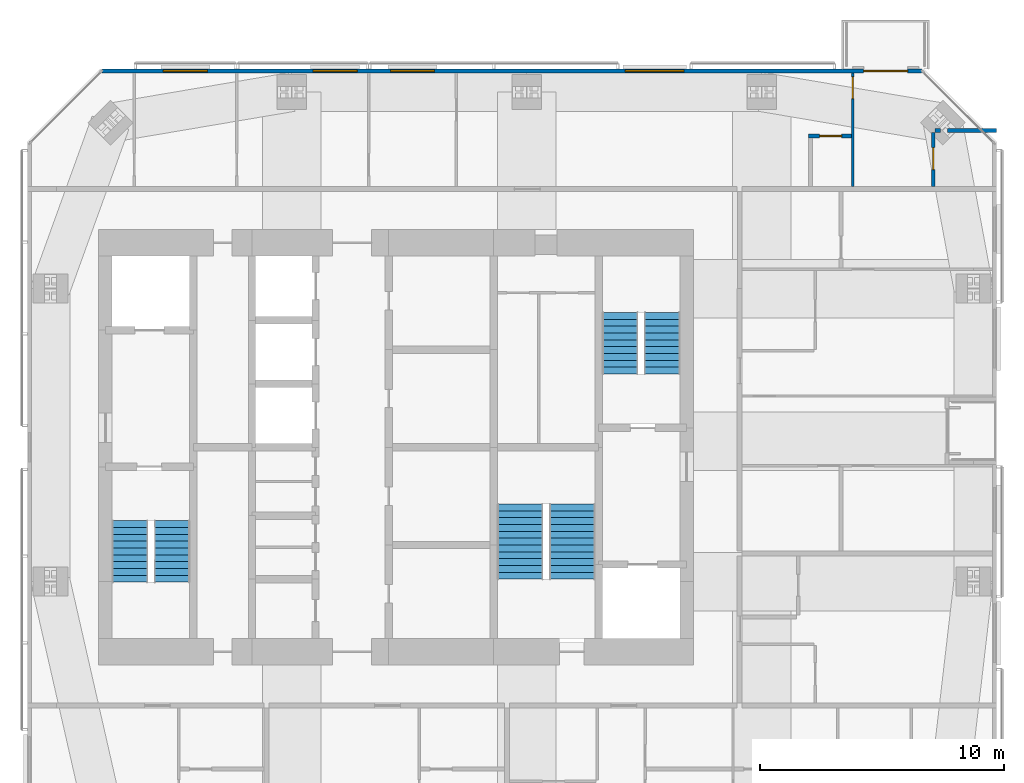
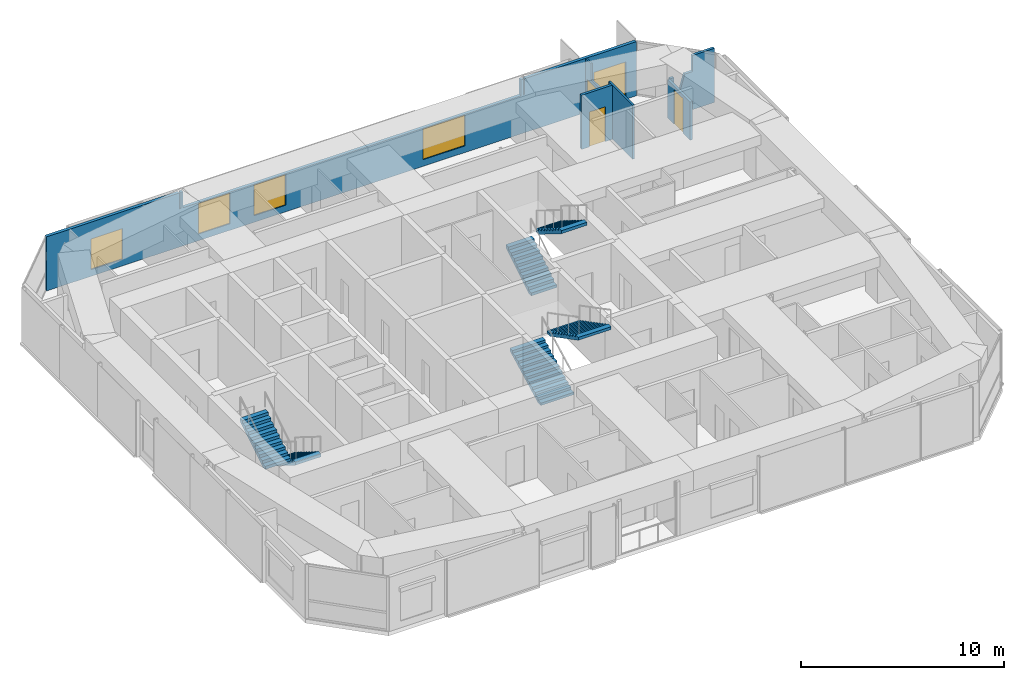
# One storey, part 19 of 20: 6 stair flights, 6 walls, 4 doors, 4 windows, 8 openings, 3 elements without a shape of their own.
"""IFC4 building model written with IfcOpenShell, lengths in metres."""

from ifc_helpers import new_model, si_unit, direction, frame, frame_2d, origin, place, context, subcontext, project, spatial, polyline, rectangle, outline, extrude, material, constituent, constituent_set, type_object, element, fill, aggregate, save


model = new_model("IFC4")

# Units and contexts
model_context = context("Model", 3, precision=1e-05, world=origin(), true_north=direction((0.0, 1.0)))
body_context = subcontext(model_context, "Body", "Model", "MODEL_VIEW")
ifc_project = project(units=[si_unit("LENGTHUNIT", "METRE"), si_unit("AREAUNIT", "SQUARE_METRE"), si_unit("VOLUMEUNIT", "CUBIC_METRE"), si_unit("PLANEANGLEUNIT", "RADIAN"), si_unit("MASSUNIT", "GRAM", prefix="KILO")], contexts=[model_context])

# Site, building, storey
site_placement = place(None, origin())
site = spatial("IfcSite", under=ifc_project, at=site_placement, CompositionType="ELEMENT")
building_placement = place(site_placement, origin())
building = spatial("IfcBuilding", under=site, at=building_placement, Name="Jalousie Tower", CompositionType="ELEMENT")
storey_placement = place(building_placement, frame((0.0, 0.0, 238.949951171875)))
storey = spatial("IfcBuildingStorey", under=building, at=storey_placement, Name="L65", CompositionType="ELEMENT", Elevation=238.949951171875)

# Walls
ifc_material_1 = material(Name="Concrete block ASTM C90", Category="concrete")
ifc_constituent_1 = constituent(ifc_material_1, Name="Body")
ifc_material_2 = material(Name="Render")
ifc_constituent_2 = constituent(ifc_material_2, Name="Finish")
ifc_constituent_set_1 = constituent_set(constituents=[ifc_constituent_1, ifc_constituent_2])
wall_type_1 = type_object("IfcWallType", Name="BATHROOM WALL 150", PredefinedType="PLUMBINGWALL", material=ifc_constituent_set_1)
wall_1_placement = place(storey_placement, frame((53.97509765625, 31.47509765625, 0.0), z_axis=(0.0, 0.0, 1.0), x_axis=(1.0, 0.0, 0.0)))
element("IfcWall", 1, at=wall_1_placement, inside=storey, type_object=wall_type_1, Name="Bathroom Wall 150 L65-A", PredefinedType="PLUMBINGWALL", context=body_context, shape_type="SweptSolid", body=[
    extrude(rectangle(XDim=0.216796875, YDim=0.14990234375, at=frame_2d((0.1083984375, 0.0))), origin(), (0.0, 0.0, 1.0), 2.300048828125),
])
wall_2_placement = place(storey_placement, frame((54.47802734375, 31.47509765625, 0.0), z_axis=(0.0, 0.0, 1.0), x_axis=(1.0, 0.0, 0.0)))
element("IfcWall", 2, at=wall_2_placement, inside=storey, type_object=wall_type_1, Name="Bathroom Wall 150 L65-B", PredefinedType="PLUMBINGWALL", context=body_context, shape_type="SweptSolid", body=[
    extrude(outline(polyline([(0.773681640625, 3.260009765625), (0.773681640625, 2.300048828125), (0.3251953125, 2.300048828125), (0.0, 1.150146484375), (0.3251953125, 0.0), (2.02197265625, 0.0), (2.02197265625, 3.260009765625), (0.773681640625, 3.260009765625)])), frame((0.0, 0.074951171875, 0.0), z_axis=(0.0, -1.0, 0.0), x_axis=(1.0, 0.0, 0.0)), (0.0, 0.0, 1.0), 0.14990234375),
])

# Wall, opening, door
wall_3_placement = place(storey_placement, frame((53.89990234375, 31.39990234375, 0.0), z_axis=(0.0, 0.0, 1.0), x_axis=(0.0, -1.0, 0.0)))
wall_3 = element("IfcWall", 3, at=wall_3_placement, inside=storey, type_object=wall_type_1, Name="Bathroom Wall 150 L65", PredefinedType="PLUMBINGWALL", context=body_context, shape_type="SweptSolid", body=[
    extrude(outline(polyline([(0.0, 0.0), (2.224853515625, 0.0), (2.22509765625, 3.260009765625), (2.22509765625, 2.300048828125), (0.43798828125, 2.300048828125), (0.0, 2.300048828125), (0.0, 3.260009765625), (0.0, 0.0)])), frame((0.0, 0.074951171875, 0.0), z_axis=(0.0, -1.0, 0.0), x_axis=(1.0, 0.0, 0.0)), (0.0, 0.0, 1.0), 0.14990234375),
])
opening_1_placement = place(wall_3_placement, frame((0.625, 0.0, 0.0)))
opening_1 = element("IfcOpeningElement", 4, at=opening_1_placement, cuts=wall_3, Name="Opening D3", PredefinedType="OPENING", context=body_context, shape_type="SweptSolid", body=[
    extrude(rectangle(XDim=0.89990234375, YDim=2.10009765625, at=frame_2d((0.449951171875, 1.050048828125))), frame((0.0, 0.0849609375, 0.0), z_axis=(0.0, -1.0, 0.0), x_axis=(1.0, 0.0, 0.0)), (0.0, 0.0, 1.0), 0.169921875),
])
ifc_material_3 = material(Name="Timber door", Category="wood")
door_type_1 = type_object("IfcDoorType", Name="BATHROOM DOOR 900", OperationType="SINGLE_SWING_LEFT", PredefinedType="DOOR", material=ifc_material_3)
door_1_placement = place(opening_1_placement, origin())
door_1 = element("IfcDoor", 5, at=door_1_placement, inside=storey, type_object=door_type_1, Name="Apartment 6504 bathroom door", OperationType="SINGLE_SWING_LEFT", OverallHeight=2.10009765625, OverallWidth=0.89990234375, PredefinedType="DOOR", context=body_context, shape_type="SweptSolid", body=[
    extrude(rectangle(XDim=0.89990234375, YDim=2.10009765625, at=frame_2d((0.449951171875, 1.050048828125))), frame((0.0, 0.02490234375, 0.0), z_axis=(0.0, -1.0, 0.0), x_axis=(1.0, 0.0, 0.0)), (0.0, 0.0, 1.0), 0.050048828125),
])
fill(opening_1, door_1)

wall_4_placement = place(storey_placement, frame((50.552490234375, 31.25, 0.0), z_axis=(0.0, 0.0, 1.0), x_axis=(-1.0, 0.0, 0.0)))
wall_4 = element("IfcWall", 6, at=wall_4_placement, inside=storey, type_object=wall_type_1, Name="Bathroom Wall 150 L65", PredefinedType="PLUMBINGWALL", context=body_context, shape_type="SweptSolid", body=[
    extrude(rectangle(XDim=1.75, YDim=0.14990234375, at=frame_2d((0.875, 0.0))), origin(), (0.0, 0.0, 1.0), 3.260009765625),
])
opening_2_placement = place(wall_4_placement, frame((0.39990234375, 0.0, 0.0)))
opening_2 = element("IfcOpeningElement", 7, at=opening_2_placement, cuts=wall_4, Name="Opening D7", PredefinedType="OPENING", context=body_context, shape_type="SweptSolid", body=[
    extrude(rectangle(XDim=0.89990234375, YDim=2.10009765625, at=frame_2d((0.449951171875, 1.050048828125))), frame((0.0, 0.0849609375, 0.0), z_axis=(0.0, -1.0, 0.0), x_axis=(1.0, 0.0, 0.0)), (0.0, 0.0, 1.0), 0.169921875),
])
ifc_material_4 = material(Name="Timber door", Category="wood")
door_type_2 = type_object("IfcDoorType", Name="INTERNAL DOOR 900", OperationType="SINGLE_SWING_LEFT", PredefinedType="DOOR", material=ifc_material_4)
door_2_placement = place(opening_2_placement, origin())
door_2 = element("IfcDoor", 8, at=door_2_placement, inside=storey, type_object=door_type_2, Name="Apartment 6504 guest WC door", OperationType="SINGLE_SWING_RIGHT", OverallHeight=2.10009765625, OverallWidth=0.89990234375, PredefinedType="DOOR", context=body_context, shape_type="SweptSolid", body=[
    extrude(rectangle(XDim=0.89990234375, YDim=2.10009765625, at=frame_2d((0.449951171875, 1.050048828125))), frame((0.0, 0.02490234375, 0.0), z_axis=(0.0, -1.0, 0.0), x_axis=(1.0, 0.0, 0.0)), (0.0, 0.0, 1.0), 0.050048828125),
])
fill(opening_2, door_2)

# Wall, openings, door, windows
ifc_material_5 = material(Name="Concrete f'c 40 MPa", Category="concrete")
ifc_constituent_3 = constituent(ifc_material_5, Name="Body")
ifc_material_6 = material(Name="Render, pastel sky blue")
ifc_constituent_4 = constituent(ifc_material_6, Name="Finish")
ifc_constituent_set_2 = constituent_set(constituents=[ifc_constituent_3, ifc_constituent_4])
wall_type_2 = type_object("IfcWallType", Name="EXTERNAL WALL 175 SKY BLUE RENDER", PredefinedType="SOLIDWALL", material=ifc_constituent_set_2)
wall_5_placement = place(storey_placement, frame((53.44873046875, 33.91259765625, 0.0), z_axis=(0.0, 0.0, 1.0), x_axis=(-1.0, 0.0, 0.0)))
wall_5 = element("IfcWall", 9, at=wall_5_placement, inside=storey, type_object=wall_type_2, Name="External Wall 175 Sky Blue Render L65", PredefinedType="SOLIDWALL", context=body_context, shape_type="SweptSolid", body=[
    extrude(outline(polyline([(0.0, 0.0), (33.597412109375, 0.0), (33.597412109375, 3.260009765625), (26.03857421875, 3.260009765625), (26.03857421875, 2.300048828125), (25.955078125, 2.300048828125), (25.955078125, 3.260009765625), (25.82373046875, 3.260009765625), (25.82373046875, 2.300048828125), (6.57373046875, 2.300048828125), (6.57373046875, 3.260009765625), (6.4423828125, 3.260009765625), (6.4423828125, 2.300048828125), (6.35888671875, 2.300048828125), (6.35888671875, 3.260009765625), (0.0, 3.260009765625), (0.0, 0.0)])), frame((0.0, 0.08740234375, 0.0), z_axis=(0.0, -1.0, 0.0), x_axis=(1.0, 0.0, 0.0)), (0.0, 0.0, 1.0), 0.175048828125),
])
opening_3_placement = place(wall_5_placement, frame((0.60009765625, 0.0, 0.0)))
opening_3 = element("IfcOpeningElement", 10, at=opening_3_placement, cuts=wall_5, Name="Opening D-BAL22", PredefinedType="OPENING", context=body_context, shape_type="SweptSolid", body=[
    extrude(rectangle(XDim=1.800048828125, YDim=2.25, at=frame_2d((0.89990234375, 1.125))), frame((0.0, 0.097412109375, 0.0), z_axis=(0.0, -1.0, 0.0), x_axis=(1.0, 0.0, 0.0)), (0.0, 0.0, 1.0), 0.195068359375),
])
opening_4_placement = place(wall_5_placement, frame((9.760009765625, 0.0, 0.39990234375)))
opening_4 = element("IfcOpeningElement", 11, at=opening_4_placement, cuts=wall_5, Name="Opening W-LIV185", PredefinedType="OPENING", context=body_context, shape_type="SweptSolid", body=[
    extrude(rectangle(XDim=2.39990234375, YDim=1.85009765625, at=frame_2d((1.199951171875, 0.925048828125))), frame((0.0, 0.097412109375, 0.0), z_axis=(0.0, -1.0, 0.0), x_axis=(1.0, 0.0, 0.0)), (0.0, 0.0, 1.0), 0.195068359375),
])
opening_5_placement = place(wall_5_placement, frame((19.9736328125, 0.0, 0.39990234375)))
opening_5 = element("IfcOpeningElement", 12, at=opening_5_placement, cuts=wall_5, Name="Opening W-BED185", PredefinedType="OPENING", context=body_context, shape_type="SweptSolid", body=[
    extrude(rectangle(XDim=1.800048828125, YDim=1.85009765625, at=frame_2d((0.89990234375, 0.925048828125))), frame((0.0, 0.097412109375, 0.0), z_axis=(0.0, -1.0, 0.0), x_axis=(1.0, 0.0, 0.0)), (0.0, 0.0, 1.0), 0.195068359375),
])
opening_6_placement = place(wall_5_placement, frame((23.143798828125, 0.0, 0.39990234375)))
opening_6 = element("IfcOpeningElement", 13, at=opening_6_placement, cuts=wall_5, Name="Opening W-BED185", PredefinedType="OPENING", context=body_context, shape_type="SweptSolid", body=[
    extrude(rectangle(XDim=1.800048828125, YDim=1.85009765625, at=frame_2d((0.89990234375, 0.925048828125))), frame((0.0, 0.097412109375, 0.0), z_axis=(0.0, -1.0, 0.0), x_axis=(1.0, 0.0, 0.0)), (0.0, 0.0, 1.0), 0.195068359375),
])
opening_7_placement = place(wall_5_placement, frame((29.273193359375, 0.0, 0.39990234375)))
opening_7 = element("IfcOpeningElement", 14, at=opening_7_placement, cuts=wall_5, Name="Opening W-BED185", PredefinedType="OPENING", context=body_context, shape_type="SweptSolid", body=[
    extrude(rectangle(XDim=1.800048828125, YDim=1.85009765625, at=frame_2d((0.89990234375, 0.925048828125))), frame((0.0, 0.097412109375, 0.0), z_axis=(0.0, -1.0, 0.0), x_axis=(1.0, 0.0, 0.0)), (0.0, 0.0, 1.0), 0.195068359375),
])
ifc_material_7 = material(Name="Aluminium frame, impact-rated glazing", Category="aluminium")
door_type_3 = type_object("IfcDoorType", Name="BALCONY DOOR 1800x2250", OperationType="SLIDING_TO_LEFT", PredefinedType="DOOR", material=ifc_material_7)
door_3_placement = place(opening_3_placement, origin())
door_3 = element("IfcDoor", 15, at=door_3_placement, inside=storey, type_object=door_type_3, Name="Apartment 6504 bedroom 5 balcony door", OperationType="SLIDING_TO_LEFT", OverallHeight=2.25, OverallWidth=1.800048828125, PredefinedType="DOOR", context=body_context, shape_type="SweptSolid", body=[
    extrude(rectangle(XDim=1.800048828125, YDim=2.25, at=frame_2d((0.89990234375, 1.125))), frame((0.0, 0.02490234375, 0.0), z_axis=(0.0, -1.0, 0.0), x_axis=(1.0, 0.0, 0.0)), (0.0, 0.0, 1.0), 0.050048828125),
])
fill(opening_3, door_3)
ifc_material_8 = material(Name="Aluminium frame, impact-rated glazing", Category="aluminium")
window_type_1 = type_object("IfcWindowType", Name="WINDOW BED 1800x1850", PartitioningType="SINGLE_PANEL", PredefinedType="WINDOW", material=ifc_material_8)
window_1_placement = place(opening_5_placement, origin())
window_1 = element("IfcWindow", 16, at=window_1_placement, inside=storey, type_object=window_type_1, Name="Apartment 6504 bedroom 4 window", OverallHeight=1.85009765625, OverallWidth=1.800048828125, PartitioningType="SINGLE_PANEL", PredefinedType="WINDOW", context=body_context, shape_type="SweptSolid", body=[
    extrude(rectangle(XDim=1.800048828125, YDim=1.85009765625, at=frame_2d((0.89990234375, 0.925048828125))), frame((0.0, 0.030029296875, 0.0), z_axis=(0.0, -1.0, 0.0), x_axis=(1.0, 0.0, 0.0)), (0.0, 0.0, 1.0), 0.06005859375),
])
fill(opening_5, window_1)
window_2_placement = place(opening_6_placement, origin())
window_2 = element("IfcWindow", 17, at=window_2_placement, inside=storey, type_object=window_type_1, Name="Apartment 6504 bedroom 3 window", OverallHeight=1.85009765625, OverallWidth=1.800048828125, PartitioningType="SINGLE_PANEL", PredefinedType="WINDOW", context=body_context, shape_type="SweptSolid", body=[
    extrude(rectangle(XDim=1.800048828125, YDim=1.85009765625, at=frame_2d((0.89990234375, 0.925048828125))), frame((0.0, 0.030029296875, 0.0), z_axis=(0.0, -1.0, 0.0), x_axis=(1.0, 0.0, 0.0)), (0.0, 0.0, 1.0), 0.06005859375),
])
fill(opening_6, window_2)
window_3_placement = place(opening_7_placement, origin())
window_3 = element("IfcWindow", 18, at=window_3_placement, inside=storey, type_object=window_type_1, Name="Apartment 6504 bedroom 2 window", OverallHeight=1.85009765625, OverallWidth=1.800048828125, PartitioningType="SINGLE_PANEL", PredefinedType="WINDOW", context=body_context, shape_type="SweptSolid", body=[
    extrude(rectangle(XDim=1.800048828125, YDim=1.85009765625, at=frame_2d((0.89990234375, 0.925048828125))), frame((0.0, 0.030029296875, 0.0), z_axis=(0.0, -1.0, 0.0), x_axis=(1.0, 0.0, 0.0)), (0.0, 0.0, 1.0), 0.06005859375),
])
fill(opening_7, window_3)
ifc_material_9 = material(Name="Aluminium frame, impact-rated glazing", Category="aluminium")
window_type_2 = type_object("IfcWindowType", Name="WINDOW LIV 2400x1850", PartitioningType="DOUBLE_PANEL_VERTICAL", PredefinedType="WINDOW", material=ifc_material_9)
window_4_placement = place(opening_4_placement, origin())
window_4 = element("IfcWindow", 19, at=window_4_placement, inside=storey, type_object=window_type_2, Name="Apartment 6504 living, dining and kitchen window", OverallHeight=1.85009765625, OverallWidth=2.39990234375, PartitioningType="SINGLE_PANEL", PredefinedType="WINDOW", context=body_context, shape_type="SweptSolid", body=[
    extrude(rectangle(XDim=2.39990234375, YDim=1.85009765625, at=frame_2d((1.199951171875, 0.925048828125))), frame((0.0, 0.030029296875, 0.0), z_axis=(0.0, -1.0, 0.0), x_axis=(1.0, 0.0, 0.0)), (0.0, 0.0, 1.0), 0.06005859375),
])
fill(opening_4, window_4)

# Wall, opening, door
ifc_material_10 = material(Name="Gypsum board", Category="gypsum")
ifc_constituent_5 = constituent(ifc_material_10, Name="Body")
ifc_material_11 = material(Name="Light-gauge steel studs ASTM A653 SS Grade 33", Category="steel")
ifc_constituent_6 = constituent(ifc_material_11, Name="Framing")
ifc_constituent_set_3 = constituent_set(constituents=[ifc_constituent_5, ifc_constituent_6])
wall_type_3 = type_object("IfcWallType", Name="PARTITION 100", PredefinedType="PARTITIONING", material=ifc_constituent_set_3)
wall_6_placement = place(storey_placement, frame((50.6025390625, 33.824951171875, 0.0), z_axis=(0.0, 0.0, 1.0), x_axis=(0.0, -1.0, 0.0)))
wall_6 = element("IfcWall", 20, at=wall_6_placement, inside=storey, type_object=wall_type_3, Name="Partition 100 L65", PredefinedType="PARTITIONING", context=body_context, shape_type="SweptSolid", body=[
    extrude(outline(polyline([(0.0, 0.0), (4.64990234375, 0.0), (4.64990234375, 3.260009765625), (2.279052734375, 3.260009765625), (2.279052734375, 2.300048828125), (0.534423828125, 2.300048828125), (0.534423828125, 3.260009765625), (0.0, 3.260009765625), (0.0, 0.0)])), frame((0.0, 0.050048828125, 0.0), z_axis=(0.0, -1.0, 0.0), x_axis=(1.0, 0.0, 0.0)), (0.0, 0.0, 1.0), 0.10009765625),
])
opening_8_placement = place(wall_6_placement, frame((0.14990234375, 0.0, 0.0)))
opening_8 = element("IfcOpeningElement", 21, at=opening_8_placement, cuts=wall_6, Name="Opening D2", PredefinedType="OPENING", context=body_context, shape_type="SweptSolid", body=[
    extrude(rectangle(XDim=0.89990234375, YDim=2.10009765625, at=frame_2d((0.449951171875, 1.050048828125))), frame((0.0, 0.06005859375, 0.0), z_axis=(0.0, -1.0, 0.0), x_axis=(1.0, 0.0, 0.0)), (0.0, 0.0, 1.0), 0.1201171875),
])
ifc_material_12 = material(Name="Timber door", Category="wood")
door_type_4 = type_object("IfcDoorType", Name="BEDROOM DOOR 900", OperationType="SINGLE_SWING_LEFT", PredefinedType="DOOR", material=ifc_material_12)
door_4_placement = place(opening_8_placement, origin())
door_4 = element("IfcDoor", 22, at=door_4_placement, inside=storey, type_object=door_type_4, Name="Apartment 6504 bedroom 5 door", OperationType="SINGLE_SWING_LEFT", OverallHeight=2.10009765625, OverallWidth=0.89990234375, PredefinedType="DOOR", context=body_context, shape_type="SweptSolid", body=[
    extrude(rectangle(XDim=0.89990234375, YDim=2.10009765625, at=frame_2d((0.449951171875, 1.050048828125))), frame((0.0, 0.02490234375, 0.0), z_axis=(0.0, -1.0, 0.0), x_axis=(1.0, 0.0, 0.0)), (0.0, 0.0, 1.0), 0.050048828125),
])
fill(opening_8, door_4)

# Stair, stair flights
ifc_material_13 = material(Name="Concrete f'c 40 MPa", Category="concrete")
stair_type = type_object("IfcStairType", Name="EXIT STAIR", PredefinedType="HALF_TURN_STAIR", material=ifc_material_13)
stair_1_placement = place(storey_placement, origin())
stair_1 = element("IfcStair", 23, at=stair_1_placement, inside=storey, type_object=stair_type, Name="Exit stair A L65", PredefinedType="HALF_TURN_STAIR")
ifc_material_14 = material(Name="Concrete f'c 40 MPa", Category="concrete")
stair_flight_type = type_object("IfcStairFlightType", Name="STAIR FLIGHT", PredefinedType="STRAIGHT", material=ifc_material_14)
stair_flight_1_placement = place(storey_placement, frame((22.71875, 15.49755859375, 0.0), z_axis=(0.0, 0.0, 1.0), x_axis=(0.0, -1.0, 0.0)))
stair_flight_1 = element("IfcStairFlight", 24, at=stair_flight_1_placement, type_object=stair_flight_type, Name="ST-A flight 1", NumberOfRisers=10, NumberOfTreads=9, PredefinedType="STRAIGHT", RiserHeight=0.175, TreadLength=0.28, context=body_context, shape_type="SweptSolid", body=[
    extrude(outline(polyline([(0.0, 0.0), (0.0, 0.175048828125), (0.280029296875, 0.175048828125), (0.280029296875, 0.35009765625), (0.56005859375, 0.35009765625), (0.56005859375, 0.52490234375), (0.840087890625, 0.52490234375), (0.840087890625, 0.699951171875), (1.1201171875, 0.699951171875), (1.1201171875, 0.875), (1.39990234375, 0.875), (1.39990234375, 1.050048828125), (1.679931640625, 1.050048828125), (1.679931640625, 1.22509765625), (1.9599609375, 1.22509765625), (1.9599609375, 1.39990234375), (2.239990234375, 1.39990234375), (2.239990234375, 1.574951171875), (2.52001953125, 1.574951171875), (2.52001953125, 1.75), (2.52001953125, 1.398193359375), (0.28271484375, 0.0), (0.0, 0.0)])), frame((0.0, 0.731201171875, 0.0), z_axis=(0.0, -1.0, 0.0), x_axis=(1.0, 0.0, 0.0)), (0.0, 0.0, 1.0), 1.46240234375),
])
stair_flight_2_placement = place(storey_placement, frame((21.00634765625, 12.9775390625, 1.75), z_axis=(0.0, 0.0, 1.0), x_axis=(0.0, 1.0, 0.0)))
stair_flight_2 = element("IfcStairFlight", 25, at=stair_flight_2_placement, type_object=stair_flight_type, Name="ST-A flight 2", NumberOfRisers=10, NumberOfTreads=9, PredefinedType="STRAIGHT", RiserHeight=0.175, TreadLength=0.28, context=body_context, shape_type="SweptSolid", body=[
    extrude(outline(polyline([(0.0, 0.0), (0.0, 0.175048828125), (0.280029296875, 0.175048828125), (0.280029296875, 0.35009765625), (0.56005859375, 0.35009765625), (0.56005859375, 0.52490234375), (0.840087890625, 0.52490234375), (0.840087890625, 0.699951171875), (1.1201171875, 0.699951171875), (1.1201171875, 0.875), (1.39990234375, 0.875), (1.39990234375, 1.050048828125), (1.679931640625, 1.050048828125), (1.679931640625, 1.22509765625), (1.9599609375, 1.22509765625), (1.9599609375, 1.39990234375), (2.239990234375, 1.39990234375), (2.239990234375, 1.574951171875), (2.52001953125, 1.574951171875), (2.52001953125, 1.75), (2.52001953125, 1.398193359375), (0.28271484375, 0.0), (0.0, 0.0)])), frame((0.0, 0.731201171875, 0.0), z_axis=(0.0, -1.0, 0.0), x_axis=(1.0, 0.0, 0.0)), (0.0, 0.0, 1.0), 1.46240234375),
])
aggregate(stair_1, [stair_flight_1, stair_flight_2])

stair_2_placement = place(storey_placement, origin())
stair_2 = element("IfcStair", 26, at=stair_2_placement, inside=storey, type_object=stair_type, Name="Exit stair B L65", PredefinedType="HALF_TURN_STAIR")
stair_flight_3_placement = place(storey_placement, frame((41.081298828125, 21.50244140625, 0.0), z_axis=(0.0, 0.0, 1.0), x_axis=(0.0, 1.0, 0.0)))
stair_flight_3 = element("IfcStairFlight", 27, at=stair_flight_3_placement, type_object=stair_flight_type, Name="ST-B flight 1", NumberOfRisers=10, NumberOfTreads=9, PredefinedType="STRAIGHT", RiserHeight=0.175, TreadLength=0.28, context=body_context, shape_type="SweptSolid", body=[
    extrude(outline(polyline([(0.0, 0.0), (0.0, 0.175048828125), (0.280029296875, 0.175048828125), (0.280029296875, 0.35009765625), (0.56005859375, 0.35009765625), (0.56005859375, 0.52490234375), (0.840087890625, 0.52490234375), (0.840087890625, 0.699951171875), (1.1201171875, 0.699951171875), (1.1201171875, 0.875), (1.39990234375, 0.875), (1.39990234375, 1.050048828125), (1.679931640625, 1.050048828125), (1.679931640625, 1.22509765625), (1.9599609375, 1.22509765625), (1.9599609375, 1.39990234375), (2.239990234375, 1.39990234375), (2.239990234375, 1.574951171875), (2.52001953125, 1.574951171875), (2.52001953125, 1.75), (2.52001953125, 1.398193359375), (0.28271484375, 0.0), (0.0, 0.0)])), frame((0.0, 0.731201171875, 0.0), z_axis=(0.0, -1.0, 0.0), x_axis=(1.0, 0.0, 0.0)), (0.0, 0.0, 1.0), 1.46240234375),
])
stair_flight_4_placement = place(storey_placement, frame((42.793701171875, 24.0224609375, 1.75), z_axis=(0.0, 0.0, 1.0), x_axis=(0.0, -1.0, 0.0)))
stair_flight_4 = element("IfcStairFlight", 28, at=stair_flight_4_placement, type_object=stair_flight_type, Name="ST-B flight 2", NumberOfRisers=10, NumberOfTreads=9, PredefinedType="STRAIGHT", RiserHeight=0.175, TreadLength=0.28, context=body_context, shape_type="SweptSolid", body=[
    extrude(outline(polyline([(0.0, 0.0), (0.0, 0.175048828125), (0.280029296875, 0.175048828125), (0.280029296875, 0.35009765625), (0.56005859375, 0.35009765625), (0.56005859375, 0.52490234375), (0.840087890625, 0.52490234375), (0.840087890625, 0.699951171875), (1.1201171875, 0.699951171875), (1.1201171875, 0.875), (1.39990234375, 0.875), (1.39990234375, 1.050048828125), (1.679931640625, 1.050048828125), (1.679931640625, 1.22509765625), (1.9599609375, 1.22509765625), (1.9599609375, 1.39990234375), (2.239990234375, 1.39990234375), (2.239990234375, 1.574951171875), (2.52001953125, 1.574951171875), (2.52001953125, 1.75), (2.52001953125, 1.398193359375), (0.28271484375, 0.0), (0.0, 0.0)])), frame((0.0, 0.731201171875, 0.0), z_axis=(0.0, -1.0, 0.0), x_axis=(1.0, 0.0, 0.0)), (0.0, 0.0, 1.0), 1.46240234375),
])
aggregate(stair_2, [stair_flight_3, stair_flight_4])

stair_3_placement = place(storey_placement, origin())
stair_3 = element("IfcStair", 29, at=stair_3_placement, inside=storey, type_object=stair_type, Name="Exit stair C L65", PredefinedType="HALF_TURN_STAIR")
stair_flight_5_placement = place(storey_placement, frame((36.987548828125, 13.097412109375, 0.0), z_axis=(0.0, 0.0, 1.0), x_axis=(0.0, 1.0, 0.0)))
stair_flight_5 = element("IfcStairFlight", 30, at=stair_flight_5_placement, type_object=stair_flight_type, Name="ST-C flight 1", NumberOfRisers=12, NumberOfTreads=11, PredefinedType="STRAIGHT", RiserHeight=0.145833333, TreadLength=0.28, context=body_context, shape_type="SweptSolid", body=[
    extrude(outline(polyline([(0.0, 0.0), (0.0, 0.145751953125), (0.280029296875, 0.145751953125), (0.280029296875, 0.291748046875), (0.56005859375, 0.291748046875), (0.56005859375, 0.4375), (0.840087890625, 0.4375), (0.840087890625, 0.583251953125), (1.1201171875, 0.583251953125), (1.1201171875, 0.729248046875), (1.39990234375, 0.729248046875), (1.39990234375, 0.875), (1.679931640625, 0.875), (1.679931640625, 1.020751953125), (1.9599609375, 1.020751953125), (1.9599609375, 1.166748046875), (2.239990234375, 1.166748046875), (2.239990234375, 1.3125), (2.52001953125, 1.3125), (2.52001953125, 1.458251953125), (2.800048828125, 1.458251953125), (2.800048828125, 1.604248046875), (3.080078125, 1.604248046875), (3.080078125, 1.75), (3.080078125, 1.43505859375), (0.324462890625, 0.0), (0.0, 0.0)])), frame((0.0, 0.9375, 0.0), z_axis=(0.0, -1.0, 0.0), x_axis=(1.0, 0.0, 0.0)), (0.0, 0.0, 1.0), 1.875),
])
stair_flight_6_placement = place(storey_placement, frame((39.112548828125, 16.177490234375, 1.75), z_axis=(0.0, 0.0, 1.0), x_axis=(0.0, -1.0, 0.0)))
stair_flight_6 = element("IfcStairFlight", 31, at=stair_flight_6_placement, type_object=stair_flight_type, Name="ST-C flight 2", NumberOfRisers=12, NumberOfTreads=11, PredefinedType="STRAIGHT", RiserHeight=0.145833333, TreadLength=0.28, context=body_context, shape_type="SweptSolid", body=[
    extrude(outline(polyline([(0.0, 0.0), (0.0, 0.145751953125), (0.280029296875, 0.145751953125), (0.280029296875, 0.291748046875), (0.56005859375, 0.291748046875), (0.56005859375, 0.4375), (0.840087890625, 0.4375), (0.840087890625, 0.583251953125), (1.1201171875, 0.583251953125), (1.1201171875, 0.729248046875), (1.39990234375, 0.729248046875), (1.39990234375, 0.875), (1.679931640625, 0.875), (1.679931640625, 1.020751953125), (1.9599609375, 1.020751953125), (1.9599609375, 1.166748046875), (2.239990234375, 1.166748046875), (2.239990234375, 1.3125), (2.52001953125, 1.3125), (2.52001953125, 1.458251953125), (2.800048828125, 1.458251953125), (2.800048828125, 1.604248046875), (3.080078125, 1.604248046875), (3.080078125, 1.75), (3.080078125, 1.43505859375), (0.324462890625, 0.0), (0.0, 0.0)])), frame((0.0, 0.9375, 0.0), z_axis=(0.0, -1.0, 0.0), x_axis=(1.0, 0.0, 0.0)), (0.0, 0.0, 1.0), 1.875),
])
aggregate(stair_3, [stair_flight_5, stair_flight_6])

save(model, "model.ifc")
